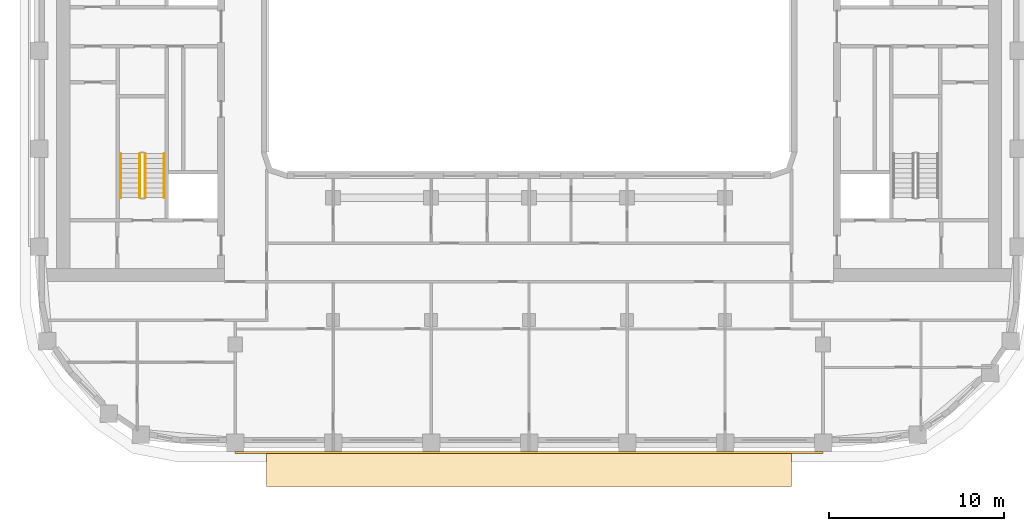
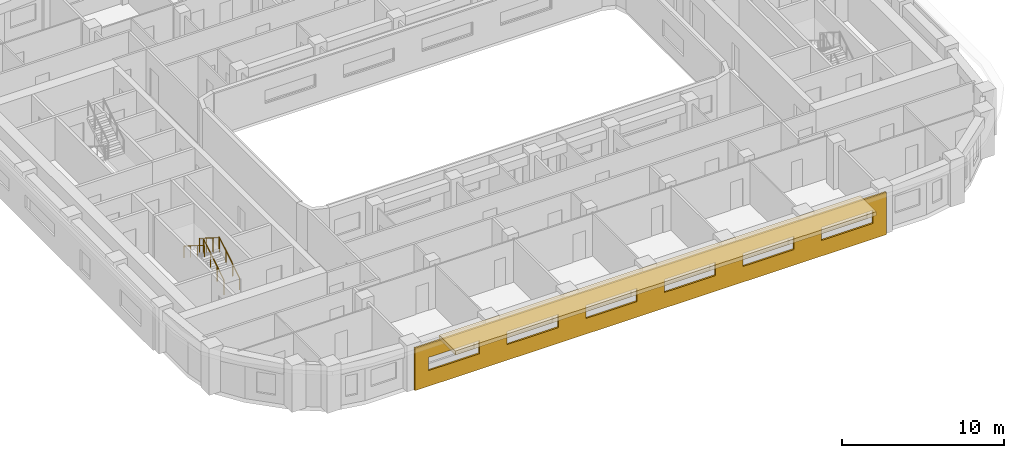
# One storey, part 12 of 22: 4 railings, 2 coverings.
"""IFC4 building model written with IfcOpenShell, lengths in metres."""

from ifc_helpers import new_model, si_unit, direction, frame, origin, origin_2d, place, context, subcontext, project, spatial, polyline, circle, outline, extrude, material, layer, layer_set, type_object, element, save


model = new_model("IFC4")

# Units and contexts
model_context = context("Model", 3, precision=1e-05, world=origin(), true_north=direction((0.0, 1.0)))
body_context = subcontext(model_context, "Body", "Model", "MODEL_VIEW")
ifc_project = project(units=[si_unit("LENGTHUNIT", "METRE"), si_unit("AREAUNIT", "SQUARE_METRE"), si_unit("VOLUMEUNIT", "CUBIC_METRE"), si_unit("PLANEANGLEUNIT", "RADIAN"), si_unit("MASSUNIT", "GRAM", prefix="KILO")], contexts=[model_context])

# Site, building, storey
site_placement = place(None, origin())
site = spatial("IfcSite", under=ifc_project, at=site_placement, CompositionType="ELEMENT")
building_placement = place(site_placement, origin())
building = spatial("IfcBuilding", under=site, at=building_placement, Name="Kiln Ring Residences", CompositionType="ELEMENT")
storey_placement = place(building_placement, frame((0.0, 0.0, 167.60009765625)))
storey = spatial("IfcBuildingStorey", under=building, at=storey_placement, Name="L43", CompositionType="ELEMENT", Elevation=167.60009765625)

# Railings
ifc_material_1 = material(Name="Stainless steel", Category="steel")
railing_type_1 = type_object("IfcRailingType", Name="CORE-STAIR-GUARD", PredefinedType="GUARDRAIL", material=ifc_material_1)
railing_1_placement = place(storey_placement, frame((-21.949951171875, -8.39990234375, 0.1748046875)))
element("IfcRailing", 1, at=railing_1_placement, inside=storey, type_object=railing_type_1, Name="L43 W-STS stair guard 1", PredefinedType="GUARDRAIL", context=body_context, shape_type="SweptSolid", body=[
    extrude(circle(Radius=0.02392578125, at=origin_2d()), frame((0.0, 0.0, 1.076171875), z_axis=(0.0, 0.847970611238, 0.530043245855), x_axis=(-1.0, 0.0, 0.0)), (0.0, 0.0, 1.0), 2.971923828125),
    extrude(circle(Radius=0.02099609375, at=origin_2d()), origin(), (0.0, 0.0, 1.0), 1.052001953125),
    extrude(circle(Radius=0.02099609375, at=origin_2d()), frame((0.0, 0.840087890625, 0.525146484375)), (0.0, 0.0, 1.0), 1.052001953125),
    extrude(circle(Radius=0.02099609375, at=origin_2d()), frame((0.0, 1.679931640625, 1.050048828125)), (0.0, 0.0, 1.0), 1.052001953125),
    extrude(circle(Radius=0.02099609375, at=origin_2d()), frame((0.0, 2.52001953125, 1.5751953125)), (0.0, 0.0, 1.0), 1.052001953125),
])
railing_2_placement = place(storey_placement, frame((-22.25, -5.8798828125, 1.9248046875)))
element("IfcRailing", 2, at=railing_2_placement, inside=storey, type_object=railing_type_1, Name="L43 W-STS stair guard 3", PredefinedType="GUARDRAIL", context=body_context, shape_type="SweptSolid", body=[
    extrude(circle(Radius=0.02392578125, at=origin_2d()), frame((0.0, 0.0, 1.076171875), z_axis=(0.0, -0.847970611238, 0.530043245855), x_axis=(1.0, 0.0, 0.0)), (0.0, 0.0, 1.0), 2.971923828125),
    extrude(circle(Radius=0.02099609375, at=origin_2d()), origin(), (0.0, 0.0, 1.0), 1.052001953125),
    extrude(circle(Radius=0.02099609375, at=origin_2d()), frame((0.0, -0.840087890625, 0.525146484375)), (0.0, 0.0, 1.0), 1.052001953125),
    extrude(circle(Radius=0.02099609375, at=origin_2d()), frame((0.0, -1.679931640625, 1.050048828125)), (0.0, 0.0, 1.0), 1.052001953125),
    extrude(circle(Radius=0.02099609375, at=origin_2d()), frame((0.0, -2.52001953125, 1.5751953125)), (0.0, 0.0, 1.0), 1.052001953125),
])
ifc_material_2 = material(Name="Stainless steel", Category="steel")
railing_type_2 = type_object("IfcRailingType", Name="CORE-STAIR-HANDRAIL", PredefinedType="HANDRAIL", material=ifc_material_2)
railing_3_placement = place(storey_placement, frame((-20.85009765625, -8.39990234375, 0.1748046875)))
element("IfcRailing", 3, at=railing_3_placement, inside=storey, type_object=railing_type_2, Name="L43 W-STS stair handrail 1", PredefinedType="HANDRAIL", context=body_context, shape_type="SweptSolid", body=[
    extrude(circle(Radius=0.02392578125, at=origin_2d()), frame((0.0, 0.0, 0.8759765625), z_axis=(0.0, 0.847970611238, 0.530043245855), x_axis=(-1.0, 0.0, 0.0)), (0.0, 0.0, 1.0), 2.971923828125),
    extrude(circle(Radius=0.02099609375, at=origin_2d()), origin(), (0.0, 0.0, 1.0), 0.851806640625),
    extrude(circle(Radius=0.02099609375, at=origin_2d()), frame((0.0, 0.840087890625, 0.525146484375)), (0.0, 0.0, 1.0), 0.851806640625),
    extrude(circle(Radius=0.02099609375, at=origin_2d()), frame((0.0, 1.679931640625, 1.050048828125)), (0.0, 0.0, 1.0), 0.851806640625),
    extrude(circle(Radius=0.02099609375, at=origin_2d()), frame((0.0, 2.52001953125, 1.5751953125)), (0.0, 0.0, 1.0), 0.851806640625),
])
railing_4_placement = place(storey_placement, frame((-23.35009765625, -5.8798828125, 1.9248046875)))
element("IfcRailing", 4, at=railing_4_placement, inside=storey, type_object=railing_type_2, Name="L43 W-STS stair handrail 2", PredefinedType="HANDRAIL", context=body_context, shape_type="SweptSolid", body=[
    extrude(circle(Radius=0.02392578125, at=origin_2d()), frame((0.0, 0.0, 0.8759765625), z_axis=(0.0, -0.847970611238, 0.530043245855), x_axis=(1.0, 0.0, 0.0)), (0.0, 0.0, 1.0), 2.971923828125),
    extrude(circle(Radius=0.02099609375, at=origin_2d()), origin(), (0.0, 0.0, 1.0), 0.851806640625),
    extrude(circle(Radius=0.02099609375, at=origin_2d()), frame((0.0, -0.840087890625, 0.525146484375)), (0.0, 0.0, 1.0), 0.851806640625),
    extrude(circle(Radius=0.02099609375, at=origin_2d()), frame((0.0, -1.679931640625, 1.050048828125)), (0.0, 0.0, 1.0), 0.851806640625),
    extrude(circle(Radius=0.02099609375, at=origin_2d()), frame((0.0, -2.52001953125, 1.5751953125)), (0.0, 0.0, 1.0), 0.851806640625),
])

# Coverings
ifc_material_3 = material(Name="Brick masonry, dark clay brick", Category="masonry")
ifc_layer_1 = layer(ifc_material_3, 0.1201171875)
ifc_layer_set_1 = layer_set([ifc_layer_1], Name="RAINSCREEN PANEL 120")
covering_type_1 = type_object("IfcCoveringType", Name="RAINSCREEN PANEL 120", PredefinedType="CLADDING", material=ifc_layer_set_1)
covering_1_placement = place(storey_placement, frame((-16.800048828125, -22.9599609375, 0.0), z_axis=(0.0, 0.0, 1.0), x_axis=(1.0, 0.0, 0.0)))
element("IfcCovering", 5, at=covering_1_placement, inside=storey, type_object=covering_type_1, Name="RAINSCREEN L43", PredefinedType="CLADDING", context=body_context, shape_type="SweptSolid", body=[
    extrude(outline(polyline([(0.0, 0.0), (33.60009765625, 0.0), (33.60009765625, 3.199951171875), (0.0, 3.199951171875), (0.0, 0.0)]), holes=[polyline([(4.6201171875, 1.179931640625), (4.6201171875, 2.169921875), (0.97998046875, 2.169921875), (0.97998046875, 1.179931640625), (4.6201171875, 1.179931640625)]), polyline([(6.580078125, 1.179931640625), (10.219970703125, 1.179931640625), (10.219970703125, 2.169921875), (6.580078125, 2.169921875), (6.580078125, 1.179931640625)]), polyline([(12.179931640625, 1.179931640625), (15.820068359375, 1.179931640625), (15.820068359375, 2.169921875), (12.179931640625, 2.169921875), (12.179931640625, 1.179931640625)]), polyline([(21.419921875, 1.179931640625), (21.419921875, 2.169921875), (17.780029296875, 2.169921875), (17.780029296875, 1.179931640625), (21.419921875, 1.179931640625)]), polyline([(23.3798828125, 1.179931640625), (27.02001953125, 1.179931640625), (27.02001953125, 2.169921875), (23.3798828125, 2.169921875), (23.3798828125, 1.179931640625)]), polyline([(28.97998046875, 1.179931640625), (32.6201171875, 1.179931640625), (32.6201171875, 2.169921875), (28.97998046875, 2.169921875), (28.97998046875, 1.179931640625)])]), frame((0.0, 0.06005859375, 0.0), z_axis=(0.0, -1.0, 0.0), x_axis=(1.0, 0.0, 0.0)), (0.0, 0.0, 1.0), 0.1201171875),
])
ifc_material_4 = material(Name="Black powder-coated steel", Category="steel")
ifc_layer_2 = layer(ifc_material_4, 0.300048828125)
ifc_layer_set_2 = layer_set([ifc_layer_2], Name="SUNSHADE BAND 2000")
covering_type_2 = type_object("IfcCoveringType", Name="SUNSHADE BAND 2000", PredefinedType="CLADDING", material=ifc_layer_set_2)
covering_2_placement = place(storey_placement, frame((0.0, 0.0, 3.199951171875)))
element("IfcCovering", 6, at=covering_2_placement, inside=storey, type_object=covering_type_2, Name="SUNSHADE BAND L43", PredefinedType="CLADDING", context=body_context, shape_type="SweptSolid", body=[
    extrude(outline(polyline([(-15.0, -24.89990234375), (15.0, -24.89990234375), (15.0, -22.89990234375), (-15.0, -22.89990234375), (-15.0, -24.89990234375)])), origin(), (0.0, 0.0, 1.0), 0.300048828125),
])

save(model, "model.ifc")
